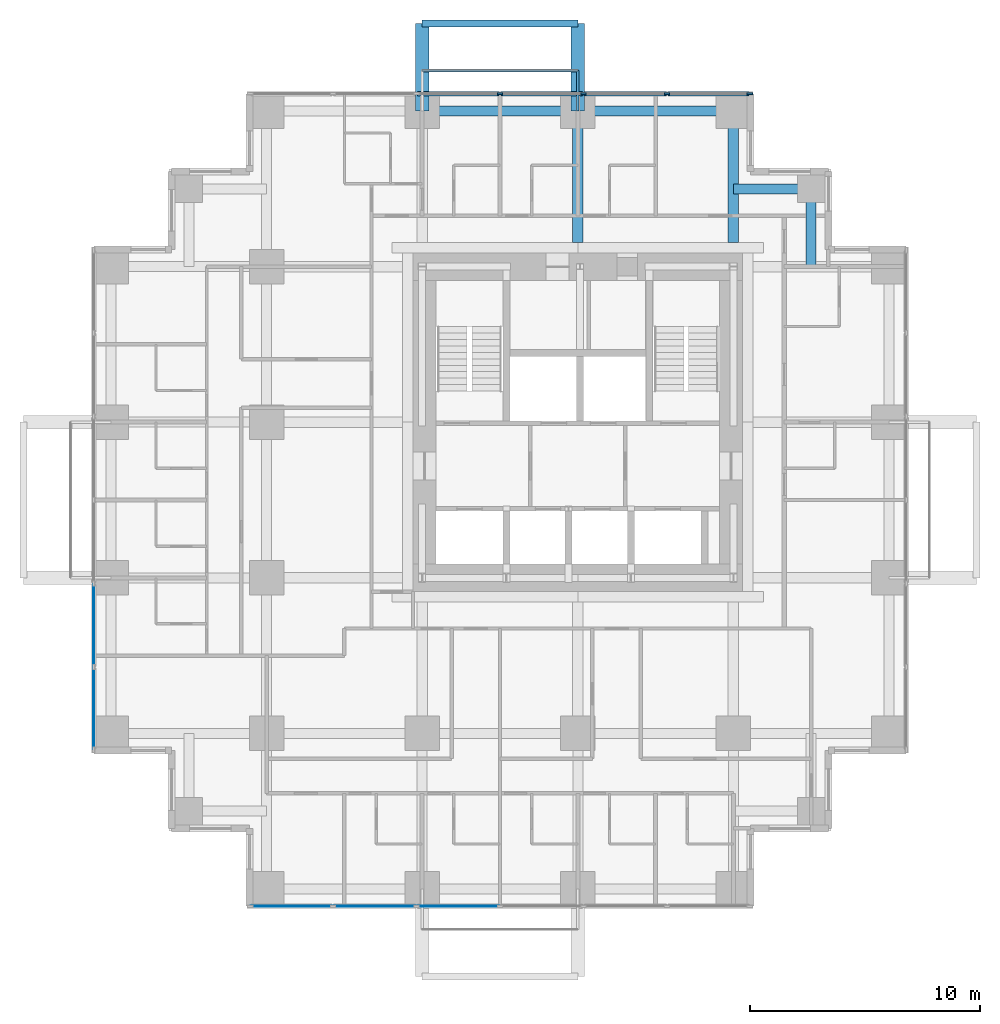
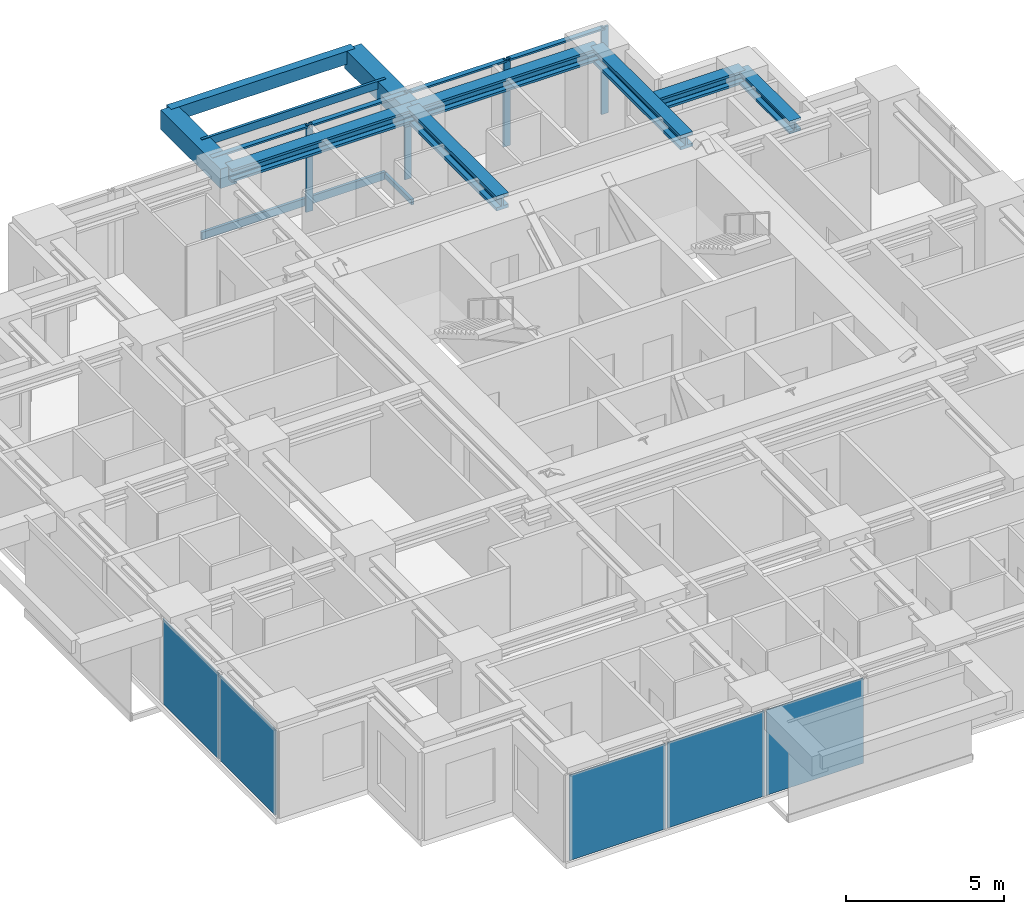
# One storey, part 4 of 11: 11 members, 9 beams, 5 plates, 3 elements without a shape of their own.
"""IFC4 building model written with IfcOpenShell, lengths in metres."""

from ifc_helpers import new_model, si_unit, direction, frame, origin, origin_2d, place, context, subcontext, project, spatial, rectangle, hollow_rectangle, i_section, extrude, material, layer, layer_set, material_profile, profile_set, type_object, element, aggregate, save


model = new_model("IFC4")

# Units and contexts
model_context = context("Model", 3, precision=1e-05, world=origin(), true_north=direction((0.0, 1.0)))
body_context = subcontext(model_context, "Body", "Model", "MODEL_VIEW")
ifc_project = project(units=[si_unit("LENGTHUNIT", "METRE"), si_unit("AREAUNIT", "SQUARE_METRE"), si_unit("VOLUMEUNIT", "CUBIC_METRE"), si_unit("PLANEANGLEUNIT", "RADIAN"), si_unit("MASSUNIT", "GRAM", prefix="KILO")], contexts=[model_context])

# Site, building, storey
site_placement = place(None, origin())
site = spatial("IfcSite", under=ifc_project, at=site_placement, CompositionType="ELEMENT")
building_placement = place(site_placement, origin())
building = spatial("IfcBuilding", under=site, at=building_placement, Name="Nyansa Garden Tower", CompositionType="ELEMENT")
storey_placement = place(building_placement, frame((0.0, 0.0, 160.199951171875)))
storey = spatial("IfcBuildingStorey", under=building, at=storey_placement, Name="L43", CompositionType="ELEMENT", Elevation=160.199951171875)

# Beams
ifc_material_1 = material(Name="Concrete C70/85", Category="concrete")
ifc_material_profile_1 = material_profile(ifc_material_1, rectangle(XDim=0.60009765625, YDim=0.75, at=origin_2d()), Name="RC 600x750")
ifc_profile_set_1 = profile_set([ifc_material_profile_1], Name="Concrete C70/85")
beam_type_1 = type_object("IfcBeamType", Name="Balcony cantilever beam CB1 RC 600x750", PredefinedType="BEAM", material=ifc_profile_set_1)
for number, where, z_axis, x_axis, name in (
    (1, (13.5, 33.75, 2.985107421875), (0.0, 1.0, 0.0), (-1.0, 0.0, 0.0), "Balcony cantilever beam L44"),
    (2, (20.25, 33.75, 2.985107421875), (0.0, 1.0, 0.0), (-1.0, 0.0, 0.0), "Balcony cantilever beam L44"),
):
    element("IfcBeam", number, at=place(storey_placement, frame(where, z_axis=z_axis, x_axis=x_axis)), inside=storey, type_object=beam_type_1, Name=name, PredefinedType="BEAM", context=body_context, shape_type="SweptSolid", body=[
        extrude(rectangle(XDim=0.60009765625, YDim=0.75, at=origin_2d()), origin(), (0.0, 0.0, 1.0), 3.800048828125),
    ])
ifc_material_2 = material(Name="Concrete C70/85", Category="concrete")
ifc_material_profile_2 = material_profile(ifc_material_2, rectangle(XDim=0.300048828125, YDim=0.5, at=origin_2d()), Name="RC 300x500")
ifc_profile_set_2 = profile_set([ifc_material_profile_2], Name="Concrete C70/85")
beam_type_2 = type_object("IfcBeamType", Name="Balcony edge beam BE1 RC 300x500", PredefinedType="BEAM", material=ifc_profile_set_2)
beam_placement = place(storey_placement, frame((13.5, 37.550048828125, 3.110107421875), z_axis=(1.0, 0.0, 0.0), x_axis=(0.0, 1.0, 0.0)))
element("IfcBeam", 3, at=beam_placement, inside=storey, type_object=beam_type_2, Name="Balcony edge beam L44", PredefinedType="BEAM", context=body_context, shape_type="SweptSolid", body=[
    extrude(rectangle(XDim=0.300048828125, YDim=0.5, at=origin_2d()), origin(), (0.0, 0.0, 1.0), 6.75),
])

# Curtain wall, members
ifc_material_3 = material(Name="Black anodised aluminium, dark tinted double glazing", Category="aluminium")
curtain_wall_type = type_object("IfcCurtainWallType", Name="Inner skin curtain wall ISW-C", PredefinedType="USERDEFINED", material=ifc_material_3)
curtain_wall_1_placement = place(storey_placement, origin())
curtain_wall_1 = element("IfcCurtainWall", 4, at=curtain_wall_1_placement, inside=storey, type_object=curtain_wall_type, Name="Inner skin curtain wall L43 N", ObjectType="UNITISED CURTAIN WALL", PredefinedType="USERDEFINED")
ifc_material_4 = material(Name="Black anodised aluminium", Category="aluminium")
ifc_material_profile_3 = material_profile(ifc_material_4, rectangle(XDim=0.070068359375, YDim=0.25, at=origin_2d()), Name="Mullion 250x70")
ifc_profile_set_3 = profile_set([ifc_material_profile_3], Name="Black anodised aluminium")
member_type_1 = type_object("IfcMemberType", Name="Mullion ISW-C 250x70", PredefinedType="MULLION", material=ifc_profile_set_3)
member_1_placement = place(storey_placement, frame((27.715087890625, 34.5, 0.0), z_axis=(0.0, 0.0, 1.0), x_axis=(0.0, -1.0, 0.0)))
member_1 = element("IfcMember", 5, at=member_1_placement, type_object=member_type_1, Name="ISW-C mullion 1", PredefinedType="MULLION", context=body_context, shape_type="SweptSolid", body=[
    extrude(rectangle(XDim=0.070068359375, YDim=0.25, at=origin_2d()), origin(), (0.0, 0.0, 1.0), 3.375),
])
member_2_placement = place(storey_placement, frame((24.125, 34.5, 0.0), z_axis=(0.0, 0.0, 1.0), x_axis=(0.0, -1.0, 0.0)))
member_2 = element("IfcMember", 6, at=member_2_placement, type_object=member_type_1, Name="ISW-C mullion 2", PredefinedType="MULLION", context=body_context, shape_type="SweptSolid", body=[
    extrude(rectangle(XDim=0.070068359375, YDim=0.25, at=origin_2d()), origin(), (0.0, 0.0, 1.0), 3.375),
])
member_3_placement = place(storey_placement, frame((20.5, 34.5, 0.0), z_axis=(0.0, 0.0, 1.0), x_axis=(0.0, -1.0, 0.0)))
member_3 = element("IfcMember", 7, at=member_3_placement, type_object=member_type_1, Name="ISW-C mullion 3", PredefinedType="MULLION", context=body_context, shape_type="SweptSolid", body=[
    extrude(rectangle(XDim=0.070068359375, YDim=0.25, at=origin_2d()), origin(), (0.0, 0.0, 1.0), 3.375),
])
member_4_placement = place(storey_placement, frame((16.875, 34.5, 0.0), z_axis=(0.0, 0.0, 1.0), x_axis=(0.0, -1.0, 0.0)))
member_4 = element("IfcMember", 8, at=member_4_placement, type_object=member_type_1, Name="ISW-C mullion 4", PredefinedType="MULLION", context=body_context, shape_type="SweptSolid", body=[
    extrude(rectangle(XDim=0.070068359375, YDim=0.25, at=origin_2d()), origin(), (0.0, 0.0, 1.0), 3.375),
])

# Members
ifc_material_5 = material(Name="Steel S355, black powder coated", Category="steel")
ifc_material_profile_4 = material_profile(ifc_material_5, hollow_rectangle(XDim=0.10009765625, YDim=0.199951171875, WallThickness=0.008056640625, at=origin_2d()), Name="RHS 200x100x8")
ifc_profile_set_4 = profile_set([ifc_material_profile_4], Name="Steel S355, black powder coated")
member_type_2 = type_object("IfcMemberType", Name="Outer skin bracket arm RHS 200x100x8", PredefinedType="USERDEFINED", material=ifc_profile_set_4)
member_5_placement = place(storey_placement, frame((20.25, 33.75, -0.375), z_axis=(0.0, 1.0, 0.0), x_axis=(-1.0, 0.0, 0.0)))
element("IfcMember", 9, at=member_5_placement, inside=storey, type_object=member_type_2, Name="Outer skin bracket arm", ObjectType="OUTER SKIN BRACKET", PredefinedType="USERDEFINED", context=body_context, shape_type="SweptSolid", body=[
    extrude(hollow_rectangle(XDim=0.10009765625, YDim=0.199951171875, WallThickness=0.008056640625, at=origin_2d()), origin(), (0.0, 0.0, 1.0), 1.75),
])
ifc_material_6 = material(Name="Steel S355, black powder coated", Category="steel")
ifc_material_profile_5 = material_profile(ifc_material_6, hollow_rectangle(XDim=0.10009765625, YDim=0.300048828125, WallThickness=0.010009765625, at=origin_2d()), Name="RHS 300x100x10")
ifc_profile_set_5 = profile_set([ifc_material_profile_5], Name="Steel S355, black powder coated")
member_type_3 = type_object("IfcMemberType", Name="Outer skin rail RHS 300x100x10", PredefinedType="USERDEFINED", material=ifc_profile_set_5)
for number, where, z_axis, x_axis, name in (
    (10, (13.5, 35.5, -0.375), (1.0, 0.0, 0.0), (0.0, 1.0, 0.0), "Outer skin rail L43"),
    (11, (13.5, 35.5, 3.22509765625), (1.0, 0.0, 0.0), (0.0, 1.0, 0.0), "Outer skin rail L43 head"),
):
    element("IfcMember", number, at=place(storey_placement, frame(where, z_axis=z_axis, x_axis=x_axis)), inside=storey, type_object=member_type_3, Name=name, ObjectType="OUTER SKIN RAIL", PredefinedType="USERDEFINED", context=body_context, shape_type="SweptSolid", body=[
        extrude(hollow_rectangle(XDim=0.10009765625, YDim=0.300048828125, WallThickness=0.010009765625, at=origin_2d()), origin(), (0.0, 0.0, 1.0), 6.75),
    ])

# Beams
ifc_material_7 = material(Name="Steel S355", Category="steel")
ifc_material_profile_6 = material_profile(ifc_material_7, i_section(OverallWidth=0.4541015625, OverallDepth=0.569091796875, WebThickness=0.077880859375, FlangeThickness=0.125, FilletRadius=0.014892578125, at=origin_2d()), Name="HD 400x1086")
ifc_profile_set_6 = profile_set([ifc_material_profile_6], Name="Steel S355")
beam_type_3 = type_object("IfcBeamType", Name="Steel beam SCL-1086 HD 400x1086", PredefinedType="BEAM", material=ifc_profile_set_6)
for number, where, z_axis, x_axis, name in (
    (12, (20.25, 28.050048828125, 3.090576171875), (0.0, 1.0, 0.0), (-1.0, 0.0, 0.0), "Steel beam 5/28.050-5/J L44"),
    (13, (27.0, 28.050048828125, 3.090576171875), (0.0, 1.0, 0.0), (-1.0, 0.0, 0.0), "Steel beam 6/28.050-6/J L44"),
):
    element("IfcBeam", number, at=place(storey_placement, frame(where, z_axis=z_axis, x_axis=x_axis)), inside=storey, type_object=beam_type_3, Name=name, PredefinedType="BEAM", context=body_context, shape_type="SweptSolid", body=[
        extrude(i_section(OverallWidth=0.4541015625, OverallDepth=0.569091796875, WebThickness=0.077880859375, FlangeThickness=0.125, FilletRadius=0.014892578125, at=origin_2d()), origin(), (0.0, 0.0, 1.0), 5.699951171875),
    ])
ifc_material_8 = material(Name="Steel S355", Category="steel")
ifc_material_profile_7 = material_profile(ifc_material_8, i_section(OverallWidth=0.431884765625, OverallDepth=0.498046875, WebThickness=0.0556640625, FlangeThickness=0.0888671875, FilletRadius=0.014892578125, at=origin_2d()), Name="HD 400x744")
ifc_profile_set_7 = profile_set([ifc_material_profile_7], Name="Steel S355")
beam_type_4 = type_object("IfcBeamType", Name="Steel beam SEBC-744 HD 400x744", PredefinedType="BEAM", material=ifc_profile_set_7)
for number, where, z_axis, x_axis, name in (
    (14, (13.5, 33.75, 3.1259765625), (1.0, 0.0, 0.0), (0.0, 1.0, 0.0), "Steel edge beam 4/J-5/J L44"),
    (15, (20.25, 33.75, 3.1259765625), (1.0, 0.0, 0.0), (0.0, 1.0, 0.0), "Steel edge beam 5/J-6/J L44"),
):
    element("IfcBeam", number, at=place(storey_placement, frame(where, z_axis=z_axis, x_axis=x_axis)), inside=storey, type_object=beam_type_4, Name=name, PredefinedType="BEAM", context=body_context, shape_type="SweptSolid", body=[
        extrude(i_section(OverallWidth=0.431884765625, OverallDepth=0.498046875, WebThickness=0.0556640625, FlangeThickness=0.0888671875, FilletRadius=0.014892578125, at=origin_2d()), origin(), (0.0, 0.0, 1.0), 6.75),
    ])
ifc_material_9 = material(Name="Steel S355", Category="steel")
ifc_material_profile_8 = material_profile(ifc_material_9, i_section(OverallWidth=0.431884765625, OverallDepth=0.498046875, WebThickness=0.0556640625, FlangeThickness=0.0888671875, FilletRadius=0.014892578125, at=origin_2d()), Name="HD 400x744")
ifc_profile_set_8 = profile_set([ifc_material_profile_8], Name="Steel S355")
beam_type_5 = type_object("IfcBeamType", Name="Steel beam SSB1-744 HD 400x744", PredefinedType="BEAM", material=ifc_profile_set_8)
for number, where, z_axis, x_axis, name in (
    (16, (30.375, 30.375, 3.1259765625), (0.0, -1.0, 0.0), (1.0, 0.0, 0.0), "Steel step beam 30.375/30.375 L44"),
    (17, (30.375, 30.375, 3.1259765625), (-1.0, 0.0, 0.0), (0.0, -1.0, 0.0), "Steel step beam 30.375/30.375 L44"),
):
    element("IfcBeam", number, at=place(storey_placement, frame(where, z_axis=z_axis, x_axis=x_axis)), inside=storey, type_object=beam_type_5, Name=name, PredefinedType="BEAM", context=body_context, shape_type="SweptSolid", body=[
        extrude(i_section(OverallWidth=0.431884765625, OverallDepth=0.498046875, WebThickness=0.0556640625, FlangeThickness=0.0888671875, FilletRadius=0.014892578125, at=origin_2d()), origin(), (0.0, 0.0, 1.0), 3.375),
    ])

# Member
ifc_material_10 = material(Name="Black anodised aluminium", Category="aluminium")
ifc_material_profile_9 = material_profile(ifc_material_10, rectangle(XDim=0.179931640625, YDim=0.070068359375, at=origin_2d()), Name="Transom 180x70")
ifc_profile_set_9 = profile_set([ifc_material_profile_9], Name="Black anodised aluminium")
member_type_4 = type_object("IfcMemberType", Name="Transom ISW-C 180x70", PredefinedType="USERDEFINED", material=ifc_profile_set_9)
member_6_placement = place(storey_placement, frame((27.679931640625, 34.5, 3.340087890625), z_axis=(-1.0, 0.0, 0.0), x_axis=(0.0, -1.0, 0.0)))
member_6 = element("IfcMember", 18, at=member_6_placement, type_object=member_type_4, Name="ISW-C transom 1", ObjectType="TRANSOM", PredefinedType="USERDEFINED", context=body_context, shape_type="SweptSolid", body=[
    extrude(rectangle(XDim=0.179931640625, YDim=0.070068359375, at=origin_2d()), origin(), (0.0, 0.0, 1.0), 3.52001953125),
])

member_7_placement = place(storey_placement, frame((24.090087890625, 34.5, 3.340087890625), z_axis=(-1.0, 0.0, 0.0), x_axis=(0.0, -1.0, 0.0)))
member_7 = element("IfcMember", 19, at=member_7_placement, type_object=member_type_4, Name="ISW-C transom 2", ObjectType="TRANSOM", PredefinedType="USERDEFINED", context=body_context, shape_type="SweptSolid", body=[
    extrude(rectangle(XDim=0.179931640625, YDim=0.070068359375, at=origin_2d()), origin(), (0.0, 0.0, 1.0), 3.55517578125),
])

member_8_placement = place(storey_placement, frame((20.465087890625, 34.5, 3.340087890625), z_axis=(-1.0, 0.0, 0.0), x_axis=(0.0, -1.0, 0.0)))
member_8 = element("IfcMember", 20, at=member_8_placement, type_object=member_type_4, Name="ISW-C transom 3", ObjectType="TRANSOM", PredefinedType="USERDEFINED", context=body_context, shape_type="SweptSolid", body=[
    extrude(rectangle(XDim=0.179931640625, YDim=0.070068359375, at=origin_2d()), origin(), (0.0, 0.0, 1.0), 3.55517578125),
])

member_9_placement = place(storey_placement, frame((16.840087890625, 34.5, 3.340087890625), z_axis=(-1.0, 0.0, 0.0), x_axis=(0.0, -1.0, 0.0)))
member_9 = element("IfcMember", 21, at=member_9_placement, type_object=member_type_4, Name="ISW-C transom 4", ObjectType="TRANSOM", PredefinedType="USERDEFINED", context=body_context, shape_type="SweptSolid", body=[
    extrude(rectangle(XDim=0.179931640625, YDim=0.070068359375, at=origin_2d()), origin(), (0.0, 0.0, 1.0), 3.55517578125),
])

aggregate(curtain_wall_1, [member_1, member_2, member_3, member_4, member_6, member_7, member_8, member_9])

# Curtain wall, plates
curtain_wall_2_placement = place(storey_placement, origin())
curtain_wall_2 = element("IfcCurtainWall", 22, at=curtain_wall_2_placement, inside=storey, type_object=curtain_wall_type, Name="Inner skin curtain wall L43 W", ObjectType="UNITISED CURTAIN WALL", PredefinedType="USERDEFINED")
ifc_material_11 = material(Name="Dark tinted laminated double glazing", Category="glass")
ifc_layer = layer(ifc_material_11, 0.0400390625)
ifc_layer_set = layer_set([ifc_layer], Name="Dark tinted vision panel VP-C")
plate_type = type_object("IfcPlateType", Name="Dark tinted vision panel VP-C", PredefinedType="CURTAIN_PANEL", material=ifc_layer_set)
plate_1_placement = place(storey_placement, frame((-0.75, 11.4375, 0.0), z_axis=(0.0, 0.0, 1.0), x_axis=(0.0, -1.0, 0.0)))
plate_1 = element("IfcPlate", 23, at=plate_1_placement, type_object=plate_type, Name="ISW-C panel 5", PredefinedType="CURTAIN_PANEL", context=body_context, shape_type="SweptSolid", body=[
    extrude(rectangle(XDim=3.554931640625, YDim=0.0400390625, at=origin_2d()), origin(), (0.0, 0.0, 1.0), 3.304931640625),
])
plate_2_placement = place(storey_placement, frame((-0.75, 7.830078125, 0.0), z_axis=(0.0, 0.0, 1.0), x_axis=(0.0, -1.0, 0.0)))
plate_2 = element("IfcPlate", 24, at=plate_2_placement, type_object=plate_type, Name="ISW-C panel 6", PredefinedType="CURTAIN_PANEL", context=body_context, shape_type="SweptSolid", body=[
    extrude(rectangle(XDim=3.52001953125, YDim=0.0400390625, at=origin_2d()), origin(), (0.0, 0.0, 1.0), 3.304931640625),
])
aggregate(curtain_wall_2, [plate_1, plate_2])

curtain_wall_3_placement = place(storey_placement, origin())
curtain_wall_3 = element("IfcCurtainWall", 25, at=curtain_wall_3_placement, inside=storey, type_object=curtain_wall_type, Name="Inner skin curtain wall L43 S", ObjectType="UNITISED CURTAIN WALL", PredefinedType="USERDEFINED")
plate_3_placement = place(storey_placement, frame((7.830078125, -0.75, 0.0), z_axis=(0.0, 0.0, 1.0), x_axis=(1.0, 0.0, 0.0)))
plate_3 = element("IfcPlate", 26, at=plate_3_placement, type_object=plate_type, Name="ISW-C panel 1", PredefinedType="CURTAIN_PANEL", context=body_context, shape_type="SweptSolid", body=[
    extrude(rectangle(XDim=3.52001953125, YDim=0.0400390625, at=origin_2d()), origin(), (0.0, 0.0, 1.0), 3.304931640625),
])
plate_4_placement = place(storey_placement, frame((11.4375, -0.75, 0.0), z_axis=(0.0, 0.0, 1.0), x_axis=(1.0, 0.0, 0.0)))
plate_4 = element("IfcPlate", 27, at=plate_4_placement, type_object=plate_type, Name="ISW-C panel 2", PredefinedType="CURTAIN_PANEL", context=body_context, shape_type="SweptSolid", body=[
    extrude(rectangle(XDim=3.554931640625, YDim=0.0400390625, at=origin_2d()), origin(), (0.0, 0.0, 1.0), 3.304931640625),
])
plate_5_placement = place(storey_placement, frame((15.0625, -0.75, 0.0), z_axis=(0.0, 0.0, 1.0), x_axis=(1.0, 0.0, 0.0)))
plate_5 = element("IfcPlate", 28, at=plate_5_placement, type_object=plate_type, Name="ISW-C panel 3", PredefinedType="CURTAIN_PANEL", context=body_context, shape_type="SweptSolid", body=[
    extrude(rectangle(XDim=3.554931640625, YDim=0.0400390625, at=origin_2d()), origin(), (0.0, 0.0, 1.0), 3.304931640625),
])
aggregate(curtain_wall_3, [plate_3, plate_4, plate_5])

save(model, "model.ifc")
